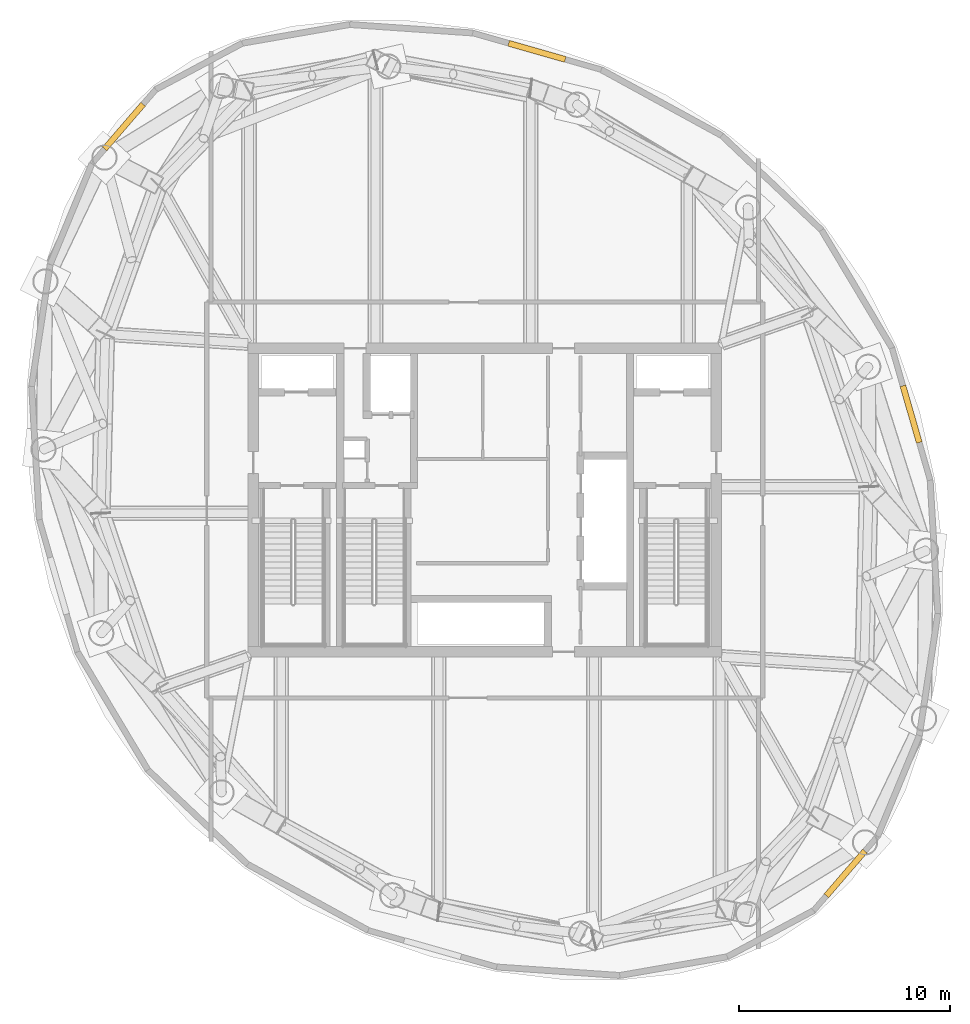
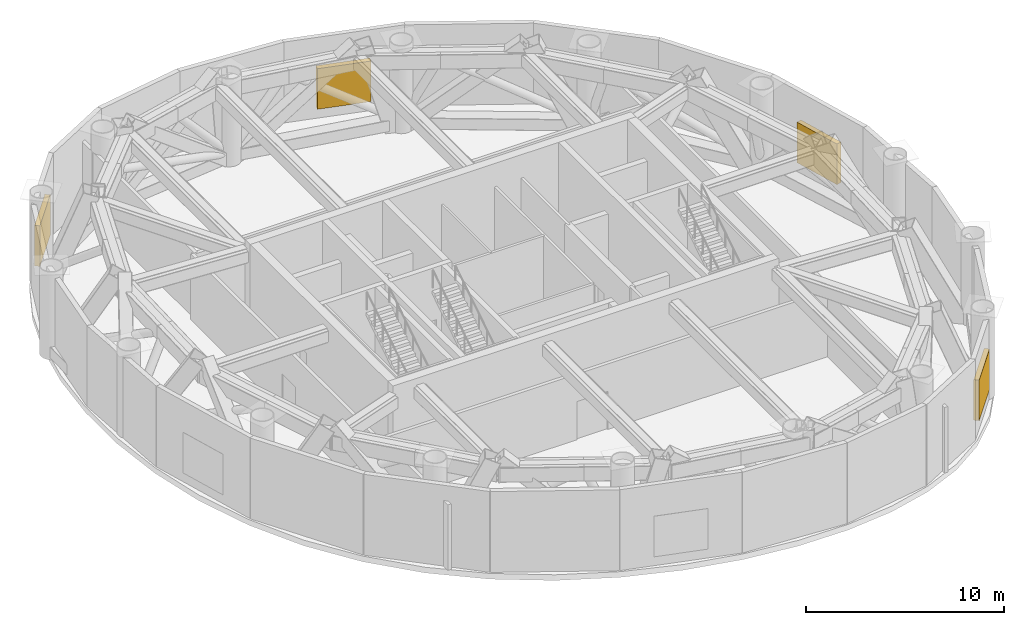
# One storey, part 9 of 9: 4 shading devices.
"""IFC4 building model written with IfcOpenShell, lengths in metres."""

from ifc_helpers import new_model, si_unit, direction, frame, origin, origin_2d, place, context, subcontext, project, spatial, rectangle, extrude, material, type_object, element, save


model = new_model("IFC4")

# Units and contexts
model_context = context("Model", 3, precision=1e-05, world=origin(), true_north=direction((0.0, 1.0)))
body_context = subcontext(model_context, "Body", "Model", "MODEL_VIEW")
ifc_project = project(units=[si_unit("LENGTHUNIT", "METRE"), si_unit("AREAUNIT", "SQUARE_METRE"), si_unit("VOLUMEUNIT", "CUBIC_METRE"), si_unit("PLANEANGLEUNIT", "RADIAN"), si_unit("MASSUNIT", "GRAM", prefix="KILO")], contexts=[model_context])

# Site, building, storey
site_placement = place(None, origin())
site = spatial("IfcSite", under=ifc_project, at=site_placement, CompositionType="ELEMENT")
building_placement = place(site_placement, origin())
building = spatial("IfcBuilding", under=site, at=building_placement, Name="Bramvorn Convention Spire", CompositionType="ELEMENT")
storey_placement = place(building_placement, frame((0.0, 0.0, 236.64990234375)))
storey = spatial("IfcBuildingStorey", under=building, at=storey_placement, Name="L60", CompositionType="ELEMENT", Elevation=236.64990234375)

# Shading devices
ifc_material = material(Name="Acoustic Storm-Proof Anodised Bronze Aluminium Louvre", Category="aluminium")
shading_device_type = type_object("IfcShadingDeviceType", Name="SHD-LOUVRE-PLANT", PredefinedType="JALOUSIE", material=ifc_material)
for number, where, z_axis, x_axis, name in (
    (1, (55.136474609375, 8.266357421875, 0.550048828125), (0.0, 0.0, 1.0), (-0.652795414193, -0.757534254809, 0.0), "L60 plant intake/exhaust acoustic louvre 01"),
    (2, (58.24609375, 30.075927734375, 0.550048828125), (0.0, 0.0, 1.0), (0.277189214648, -0.960815351294, 0.0), "L60 plant intake/exhaust acoustic louvre 05"),
    (3, (40.48095703125, 47.30615234375, 0.550048828125), (0.0, 0.0, 1.0), (0.96163923741, -0.274317292698, 0.0), "L60 plant intake/exhaust acoustic louvre 09"),
    (4, (20.863525390625, 43.733642578125, 0.550048828125), (0.0, 0.0, 1.0), (0.652795414193, 0.757534254809, 0.0), "L60 plant intake/exhaust acoustic louvre 13"),
):
    element("IfcShadingDevice", number, at=place(storey_placement, frame(where, z_axis=z_axis, x_axis=x_axis)), inside=storey, type_object=shading_device_type, Name=name, PredefinedType="JALOUSIE", context=body_context, shape_type="SweptSolid", body=[
        extrude(rectangle(XDim=2.800048828125, YDim=0.280029296875, at=origin_2d()), origin(), (0.0, 0.0, 1.0), 2.5),
    ])

save(model, "model.ifc")
